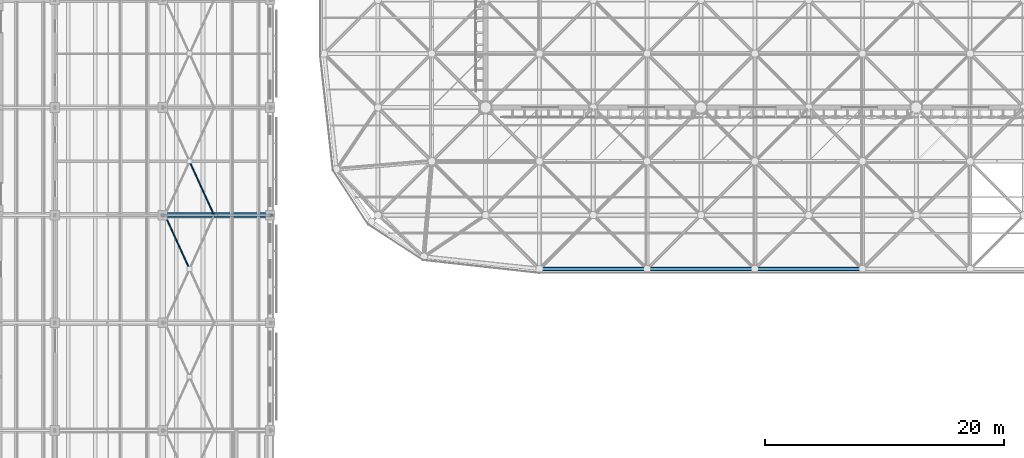
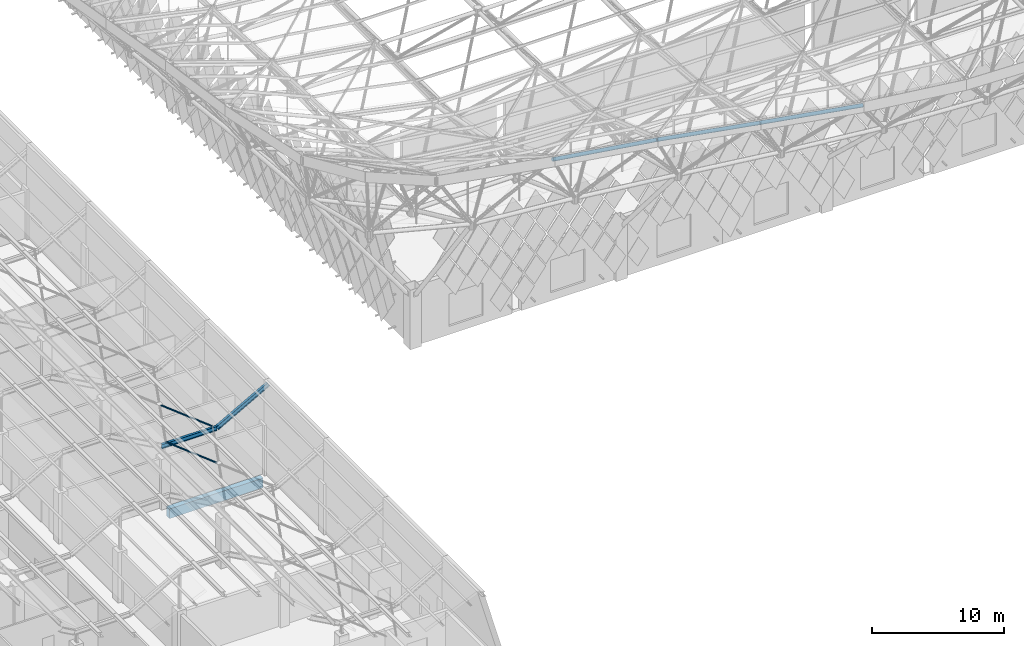
# One storey, part 44 of 437: 7 members, 1 beam.
"""IFC4 building model written with IfcOpenShell, lengths in metres."""

from ifc_helpers import new_model, si_unit, direction, frame, origin, origin_2d, place, context, subcontext, project, spatial, rectangle, hollow_circle, i_section, extrude, material, material_profile, profile_set, type_object, element, save


model = new_model("IFC4")

# Units and contexts
model_context = context("Model", 3, precision=1e-05, world=origin(), true_north=direction((0.0, 1.0)))
body_context = subcontext(model_context, "Body", "Model", "MODEL_VIEW")
ifc_project = project(units=[si_unit("LENGTHUNIT", "METRE"), si_unit("AREAUNIT", "SQUARE_METRE"), si_unit("VOLUMEUNIT", "CUBIC_METRE"), si_unit("PLANEANGLEUNIT", "RADIAN"), si_unit("MASSUNIT", "GRAM", prefix="KILO")], contexts=[model_context])

# Site, building, storey
site_placement = place(None, origin())
site = spatial("IfcSite", under=ifc_project, at=site_placement, CompositionType="ELEMENT")
building_placement = place(site_placement, origin())
building = spatial("IfcBuilding", under=site, at=building_placement, Name="Opaline Strait Convention Centre", CompositionType="ELEMENT")
storey_placement = place(building_placement, frame((0.0, 0.0, 11.5)))
storey = spatial("IfcBuildingStorey", under=building, at=storey_placement, Name="L02", CompositionType="ELEMENT", Elevation=11.5)

# Beam
ifc_material_1 = material(Name="Concrete C35", Category="concrete")
ifc_material_profile_1 = material_profile(ifc_material_1, rectangle(XDim=0.449951171875, YDim=0.89990234375, at=origin_2d()), Name="RC 450x900")
ifc_profile_set_1 = profile_set([ifc_material_profile_1], Name="Concrete C35")
beam_type = type_object("IfcBeamType", Name="RC beam 450x900 C35", PredefinedType="BEAM", material=ifc_profile_set_1)
beam_placement = place(storey_placement, frame((72.39990234375, 45.0, -0.72998046875), z_axis=(1.0, 0.0, 0.0), x_axis=(0.0, 1.0, 0.0)))
element("IfcBeam", 1, at=beam_placement, inside=storey, type_object=beam_type, Name="XB1 L02 72/45-81/45", PredefinedType="BEAM", context=body_context, shape_type="SweptSolid", body=[
    extrude(rectangle(XDim=0.449951171875, YDim=0.89990234375, at=origin_2d()), origin(), (0.0, 0.0, 1.0), 8.2001953125),
])

# Members
ifc_material_2 = material(Name="Steel Q355B", Category="steel")
ifc_material_profile_2 = material_profile(ifc_material_2, hollow_circle(Radius=0.070068359375, WallThickness=0.0048828125, at=origin_2d()), Name="CHS 140x5")
ifc_profile_set_2 = profile_set([ifc_material_profile_2], Name="Steel Q355B")
member_type_1 = type_object("IfcMemberType", Name="Roof bracing CHS 140x5", PredefinedType="BRACE", material=ifc_profile_set_2)
for number, where, z_axis, x_axis, name in (
    (2, (74.185546875, 40.6416015625, 5.8701171875), (-0.41458243593, 0.910011760264, 0.0), (-0.910011760264, -0.41458243593, 0.0), "RX1 roof brace bay 4 at 72"),
    (3, (76.300048828125, 45.0, 5.8701171875), (-0.41458243593, 0.910011760264, 0.0), (-0.910011760264, -0.41458243593, 0.0), "RX1 roof brace bay 5 at 72"),
):
    element("IfcMember", number, at=place(storey_placement, frame(where, z_axis=z_axis, x_axis=x_axis)), inside=storey, type_object=member_type_1, Name=name, PredefinedType="BRACE", context=body_context, shape_type="SweptSolid", body=[
        extrude(hollow_circle(Radius=0.070068359375, WallThickness=0.0048828125, at=origin_2d()), origin(), (0.0, 0.0, 1.0), 4.789306640625),
    ])
ifc_material_profile_3 = material_profile(ifc_material_2, i_section(OverallWidth=0.199951171875, OverallDepth=0.39990234375, WebThickness=0.008056640625, FlangeThickness=0.012939453125, FilletRadius=0.012939453125, at=origin_2d()), Name="HN 400x200x8x13")
ifc_profile_set_3 = profile_set([ifc_material_profile_3], Name="Steel Q355B")
member_type_2 = type_object("IfcMemberType", Name="Roof rafter HN 400x200x8x13", PredefinedType="RAFTER", material=ifc_profile_set_3)
member_1_placement = place(storey_placement, frame((71.83154296875, 45.0, 5.60009765625), z_axis=(1.0, 0.0, 0.0), x_axis=(0.0, 1.0, 0.0)))
element("IfcMember", 4, at=member_1_placement, inside=storey, type_object=member_type_2, Name="RR1 rafter line 5 facet 16", PredefinedType="RAFTER", context=body_context, shape_type="SweptSolid", body=[
    extrude(i_section(OverallWidth=0.199951171875, OverallDepth=0.39990234375, WebThickness=0.008056640625, FlangeThickness=0.012939453125, FilletRadius=0.012939453125, at=origin_2d()), origin(), (0.0, 0.0, 1.0), 4.8369140625),
])
member_2_placement = place(storey_placement, frame((76.66845703125, 45.0, 5.60009765625), z_axis=(0.874157276122, 0.0, 0.485642931179), x_axis=(0.0, 1.0, 0.0)))
element("IfcMember", 5, at=member_2_placement, inside=storey, type_object=member_type_2, Name="RR1 rafter line 5 facet 17", PredefinedType="RAFTER", context=body_context, shape_type="SweptSolid", body=[
    extrude(i_section(OverallWidth=0.199951171875, OverallDepth=0.39990234375, WebThickness=0.008056640625, FlangeThickness=0.012939453125, FilletRadius=0.012939453125, at=origin_2d()), origin(), (0.0, 0.0, 1.0), 5.147705078125),
])
ifc_material_profile_4 = material_profile(ifc_material_2, hollow_circle(Radius=0.16259765625, WallThickness=0.013916015625, at=origin_2d()), Name="CHS 325x14")
ifc_profile_set_4 = profile_set([ifc_material_profile_4], Name="Steel Q355B")
member_type_3 = type_object("IfcMemberType", Name="Space frame top chord CHS 325x14", PredefinedType="CHORD", material=ifc_profile_set_4)
member_3_placement = place(storey_placement, frame((103.450439453125, 40.5, 23.775634765625), z_axis=(0.989023771129, 0.0, -0.147756489339), x_axis=(0.0, 1.0, 0.0)))
element("IfcMember", 6, at=member_3_placement, inside=storey, type_object=member_type_3, Name="EXB-RF-TX-2-0", PredefinedType="CHORD", context=body_context, shape_type="SweptSolid", body=[
    extrude(hollow_circle(Radius=0.16259765625, WallThickness=0.013916015625, at=origin_2d()), origin(), (0.0, 0.0, 1.0), 9.2001953125),
])
member_4_placement = place(storey_placement, frame((121.45068359375, 40.5, 20.84716796875), z_axis=(0.985901966255, 0.0, -0.167323975973), x_axis=(0.0, 1.0, 0.0)))
element("IfcMember", 7, at=member_4_placement, inside=storey, type_object=member_type_3, Name="EXB-RF-TX-4-0", PredefinedType="CHORD", context=body_context, shape_type="SweptSolid", body=[
    extrude(hollow_circle(Radius=0.16259765625, WallThickness=0.013916015625, at=origin_2d()), origin(), (0.0, 0.0, 1.0), 9.228759765625),
])
ifc_material_profile_5 = material_profile(ifc_material_2, hollow_circle(Radius=0.16259765625, WallThickness=0.02001953125, at=origin_2d()), Name="CHS 325x20")
ifc_profile_set_5 = profile_set([ifc_material_profile_5], Name="Steel Q355B")
member_type_4 = type_object("IfcMemberType", Name="Space frame top chord CHS 325x20", PredefinedType="CHORD", material=ifc_profile_set_5)
member_5_placement = place(storey_placement, frame((112.45068359375, 40.5, 22.43212890625), z_axis=(0.984849995483, 0.0, -0.17340843808), x_axis=(0.0, 1.0, 0.0)))
element("IfcMember", 8, at=member_5_placement, inside=storey, type_object=member_type_4, Name="EXB-RF-TX-3-0", PredefinedType="CHORD", context=body_context, shape_type="SweptSolid", body=[
    extrude(hollow_circle(Radius=0.16259765625, WallThickness=0.02001953125, at=origin_2d()), origin(), (0.0, 0.0, 1.0), 9.238525390625),
])

save(model, "model.ifc")
